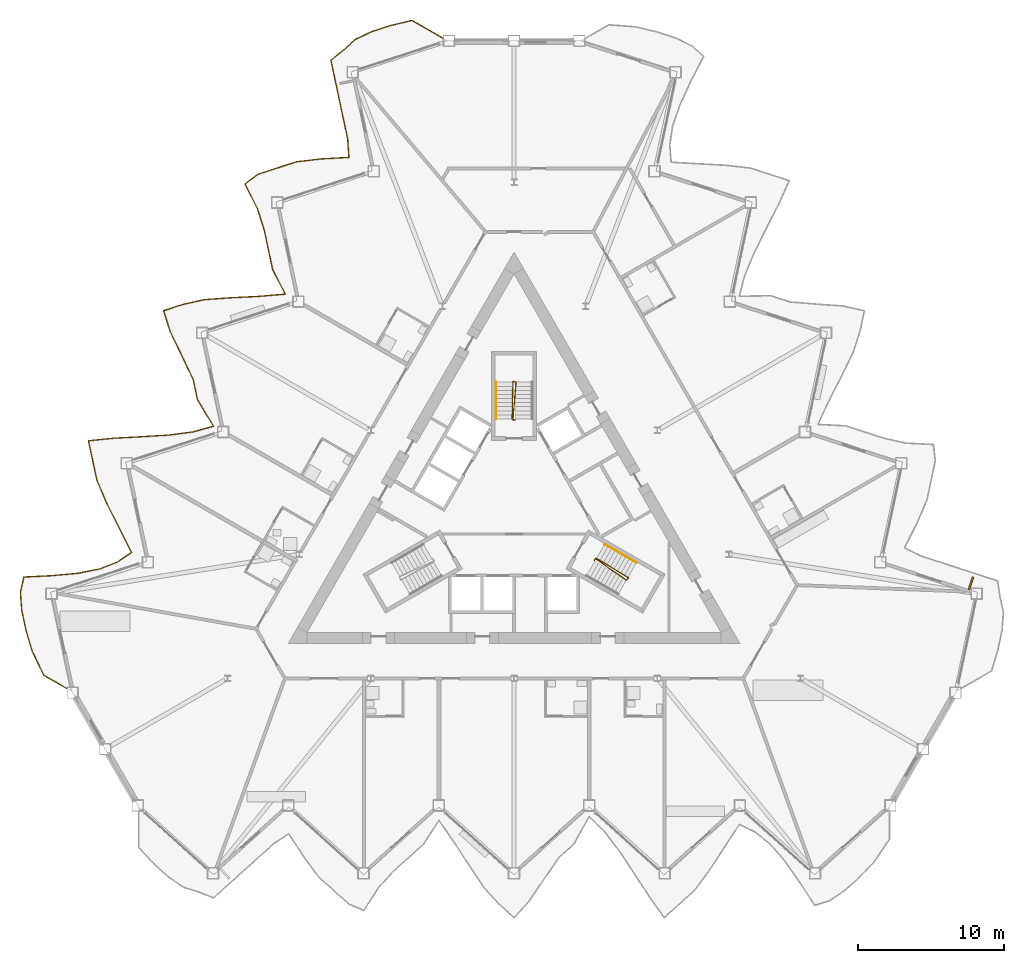
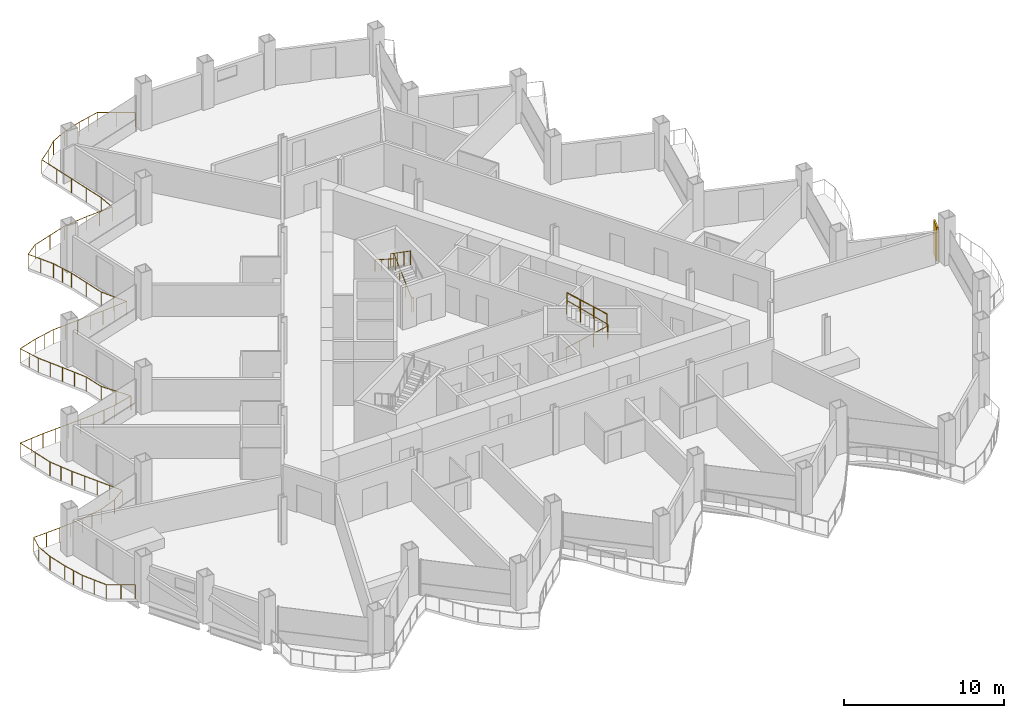
# One storey, part 20 of 23: 5 railings, 1 shading device.
"""IFC4 building model written with IfcOpenShell, lengths in metres."""

import ifcopenshell
import ifcopenshell.guid

model = None  # the IFC model being written
_history = None  # IfcOwnerHistory: only IFC2X3 demands one
_inside = {}  # id of a spatial element -> (the spatial element, [elements in it])
_under = {}  # id of a project, library or spatial element -> (it, [spatial elements below it])
_declared = {}  # id of a project -> (the project, [libraries it declares])
_typed = {}  # id of a type object -> (the type object, [elements of that type])
_made_of = {}  # id of a material, layer set ... -> (it, [elements and type objects made of it])


def new_model(schema):
    """Start an empty IFC model of exactly this schema.

    Asked for "IFC4X3", IfcOpenShell would pick the latest addendum, in which some entities
    have other attributes; the version numbers below select the first issue.
    IFC2X3 requires an IfcOwnerHistory on every rooted entity: one is made here for all.
    """
    global model, _history
    if schema == "IFC4X3":
        model = ifcopenshell.file(schema_version=(4, 3, 0, 0))
    else:
        model = ifcopenshell.file(schema=schema)
    _inside.clear()
    _under.clear()
    _declared.clear()
    _typed.clear()
    _made_of.clear()
    _history = None
    if model.schema == "IFC2X3":
        org = make("IfcOrganization", Name="unknown")
        user = make(
            "IfcPersonAndOrganization",
            ThePerson=make("IfcPerson", FamilyName="unknown"),
            TheOrganization=org,
        )
        app = make(
            "IfcApplication",
            ApplicationDeveloper=org,
            Version="unknown",
            ApplicationFullName="unknown",
            ApplicationIdentifier="unknown",
        )
        _history = make(
            "IfcOwnerHistory",
            OwningUser=user,
            OwningApplication=app,
            ChangeAction="ADDED",
            CreationDate=0,
        )
    return model


def make(cls, **values):
    """One entity of the class cls with the attributes given. An attribute that is None is left unset."""
    return model.create_entity(
        cls, **{name: value for name, value in values.items() if value is not None}
    )


def rooted(cls, **values):
    """An entity with a GlobalId (a new one), such as an element, a storey or a relation."""
    return make(cls, GlobalId=ifcopenshell.guid.new(), OwnerHistory=_history, **values)


def si_unit(unit_type, name, prefix=None):
    """IfcSIUnit, for example si_unit("LENGTHUNIT", "METRE", prefix="MILLI")."""
    return make("IfcSIUnit", UnitType=unit_type, Prefix=prefix, Name=name)


def assignment(units):
    """IfcUnitAssignment: the units of a project."""
    return None if units is None else make("IfcUnitAssignment", Units=units)


def point(xyz):
    """IfcCartesianPoint."""
    return None if xyz is None else make("IfcCartesianPoint", Coordinates=xyz)


def direction(xyz):
    """IfcDirection."""
    return None if xyz is None else make("IfcDirection", DirectionRatios=xyz)


def frame(location, z_axis=None, x_axis=None):
    """IfcAxis2Placement3D, a coordinate frame: its origin and axes. An axis left out is left unset."""
    return make(
        "IfcAxis2Placement3D",
        Location=point(location),
        Axis=direction(z_axis),
        RefDirection=direction(x_axis),
    )


def frame_2d(location, x_axis=None):
    """IfcAxis2Placement2D, a coordinate frame in the plane: its origin and x axis."""
    return make(
        "IfcAxis2Placement2D", Location=point(location), RefDirection=direction(x_axis)
    )


def origin():
    """The frame at (0, 0, 0) with its axes left unset."""
    return frame((0.0, 0.0, 0.0))


def origin_2d():
    """The frame at (0, 0) in the plane with its x axis left unset."""
    return frame_2d((0.0, 0.0))


def place(relative_to, where):
    """IfcLocalPlacement: puts the frame where relative to a parent placement (None: the world)."""
    return make(
        "IfcLocalPlacement", PlacementRelTo=relative_to, RelativePlacement=where
    )


def context(
    kind, dimensions, precision=None, world=None, true_north=None, identifier=None
):
    """IfcGeometricRepresentationContext, for example the 3D "Model" context."""
    return make(
        "IfcGeometricRepresentationContext",
        ContextIdentifier=identifier,
        ContextType=kind,
        CoordinateSpaceDimension=dimensions,
        Precision=precision,
        WorldCoordinateSystem=world,
        TrueNorth=true_north,
    )


def subcontext(parent, identifier, kind, view, scale=None):
    """IfcGeometricRepresentationSubContext, for example "Body" below "Model"."""
    return make(
        "IfcGeometricRepresentationSubContext",
        ContextIdentifier=identifier,
        ContextType=kind,
        ParentContext=parent,
        TargetScale=scale,
        TargetView=view,
    )


def project(units=None, contexts=None):
    """IfcProject with its units and contexts."""
    return rooted(
        "IfcProject",
        Name="project",
        RepresentationContexts=contexts,
        UnitsInContext=assignment(units),
    )


def spatial(cls, under=None, at=None, **own):
    """A site, building, storey or space (cls), placed at a placement, below another one or the project."""
    s = rooted(cls, ObjectPlacement=at, **own)
    if under is not None:
        _under.setdefault(under.id(), (under, []))[1].append(s)
    return s


def profile(cls, at=None, kind="AREA", **sizes):
    """A parametric profile (cls). Its sizes go by their IFC names, for example OverallWidth=200.0."""
    return make(cls, ProfileType=kind, Position=at, **sizes)


def rectangle(**sizes):
    """IfcRectangleProfileDef."""
    return profile("IfcRectangleProfileDef", **sizes)


def circle(**sizes):
    """IfcCircleProfileDef."""
    return profile("IfcCircleProfileDef", **sizes)


def extrude(swept, where, along, depth):
    """IfcExtrudedAreaSolid: the profile swept, set in the frame where, extruded along a direction by depth."""
    return make(
        "IfcExtrudedAreaSolid",
        SweptArea=swept,
        Position=where,
        ExtrudedDirection=direction(along),
        Depth=depth,
    )


def shape(context_of_items, identifier, shape_type, items):
    """IfcShapeRepresentation: the items that make up one representation, for example the "Body"."""
    return make(
        "IfcShapeRepresentation",
        ContextOfItems=context_of_items,
        RepresentationIdentifier=identifier,
        RepresentationType=shape_type,
        Items=items,
    )


def material(Name=None, Category=None):
    """IfcMaterial."""
    return make("IfcMaterial", Name=Name, Category=Category)


def layer(
    of_material, thickness, ventilated=None, Name=None, Category=None, Priority=None
):
    """IfcMaterialLayer: one layer of a wall or slab, of a material (None: an air gap)."""
    return make(
        "IfcMaterialLayer",
        Material=of_material,
        LayerThickness=thickness,
        IsVentilated=ventilated,
        Name=Name,
        Category=Category,
        Priority=Priority,
    )


def layer_set(layers, Name=None):
    """IfcMaterialLayerSet."""
    return make("IfcMaterialLayerSet", MaterialLayers=layers, LayerSetName=Name)


def made_of(thing, what):
    """Note that an element or type object is made of a material, layer set ...; save() writes the relation."""
    if what is not None:
        _made_of.setdefault(what.id(), (what, []))[1].append(thing)
    return thing


def type_object(cls, material=None, **own):
    """A type object (cls), such as IfcWallType, which elements share."""
    return made_of(rooted(cls, **own), material)


def element(
    cls,
    number,
    at=None,
    inside=None,
    cuts=None,
    type_object=None,
    material=None,
    context=None,
    identifier="Body",
    shape_type=None,
    held_by="IfcProductDefinitionShape",
    body=None,
    shapes=None,
    **own,
):
    """One element of the class cls, such as IfcWall. Its Tag is "e" and its number.

    at: its placement. inside: the storey or other place that contains it. cuts: it is an
    opening in that element (IfcRelVoidsElement). A single representation is given by context,
    identifier, shape_type and body (its items); several are given by shapes. held_by: the class
    of the entity that holds the representations. save() writes the other relations.
    """
    e = rooted(cls, Tag="e%d" % number, ObjectPlacement=at, **own)
    if body is not None:
        shapes = [shape(context, identifier, shape_type, body)]
    if shapes is not None:
        e.Representation = make(held_by, Representations=shapes)
    if inside is not None:
        _inside.setdefault(inside.id(), (inside, []))[1].append(e)
    if cuts is not None:
        rooted(
            "IfcRelVoidsElement", RelatingBuildingElement=cuts, RelatedOpeningElement=e
        )
    if type_object is not None:
        _typed.setdefault(type_object.id(), (type_object, []))[1].append(e)
    return made_of(e, material)


def aggregate(whole, parts):
    """IfcRelAggregates: a whole, such as a stair, and the parts it consists of."""
    return rooted("IfcRelAggregates", RelatingObject=whole, RelatedObjects=parts)


def save(model, path):
    """Write the relations noted so far, then the file.

    IfcRelAggregates (storeys below a building ...), IfcRelContainedInSpatialStructure (elements
    in a storey), IfcRelDefinesByType, IfcRelAssociatesMaterial and IfcRelDeclares: one each for
    every whole, place, type object, material and project.
    """
    for whole, parts in _under.values():
        aggregate(whole, parts)
    for where, things in _inside.values():
        rooted(
            "IfcRelContainedInSpatialStructure",
            RelatedElements=things,
            RelatingStructure=where,
        )
    for kind, things in _typed.values():
        rooted("IfcRelDefinesByType", RelatedObjects=things, RelatingType=kind)
    for what, things in _made_of.values():
        rooted("IfcRelAssociatesMaterial", RelatedObjects=things, RelatingMaterial=what)
    for by, libraries in _declared.values():
        rooted("IfcRelDeclares", RelatingContext=by, RelatedDefinitions=libraries)
    model.write(path)


model = new_model("IFC4")

# Units and contexts
model_context = context("Model", 3, precision=1e-05, world=origin(), true_north=direction((0.0, 1.0)))
body_context = subcontext(model_context, "Body", "Model", "MODEL_VIEW")
ifc_project = project(units=[si_unit("LENGTHUNIT", "METRE"), si_unit("AREAUNIT", "SQUARE_METRE"), si_unit("VOLUMEUNIT", "CUBIC_METRE"), si_unit("PLANEANGLEUNIT", "RADIAN"), si_unit("MASSUNIT", "GRAM", prefix="KILO")], contexts=[model_context])

# Site, building, storey
site_placement = place(None, origin())
site = spatial("IfcSite", under=ifc_project, at=site_placement, CompositionType="ELEMENT")
building_placement = place(site_placement, origin())
building = spatial("IfcBuilding", under=site, at=building_placement, Name="Cormorant Prow Tower", CompositionType="ELEMENT")
storey_placement = place(building_placement, frame((0.0, 0.0, 212.39990234375)))
storey = spatial("IfcBuildingStorey", under=building, at=storey_placement, Name="L47", CompositionType="ELEMENT", Elevation=212.39990234375)

# Railings
ifc_material_1 = material(Name="Aluminium 6063-T6", Category="aluminium")
railing_type_1 = type_object("IfcRailingType", Name="Balcony guard 1100", PredefinedType="GUARDRAIL", material=ifc_material_1)
railing_1_placement = place(storey_placement, frame((-4.920654296875, 32.60693359375, 0.0)))
element("IfcRailing", 1, at=railing_1_placement, inside=storey, type_object=railing_type_1, Name="Balcony guard WNW", PredefinedType="GUARDRAIL", context=body_context, shape_type="SweptSolid", body=[
    extrude(circle(Radius=0.02392578125, at=origin_2d()), frame((0.0, 0.0, 1.076171875), z_axis=(-0.866028295127, 0.499994992015, 0.0), x_axis=(-0.499994992015, -0.866028295127, 0.0)), (0.0, 0.0, 1.0), 2.40380859375),
    extrude(circle(Radius=0.02392578125, at=origin_2d()), frame((-2.081787109375, 1.201904296875, 1.076171875), z_axis=(-0.973212361163, -0.22990802526, 0.0), x_axis=(0.22990802526, -0.973212361163, 0.0)), (0.0, 0.0, 1.0), 1.503662109375),
    extrude(circle(Radius=0.02392578125, at=origin_2d()), frame((-3.545166015625, 0.856201171875, 1.076171875), z_axis=(-0.951066390921, -0.30898660175, 0.0), x_axis=(0.30898660175, -0.951066390921, 0.0)), (0.0, 0.0, 1.0), 1.387451171875),
    extrude(circle(Radius=0.02392578125, at=origin_2d()), frame((-4.86474609375, 0.427490234375, 1.076171875), z_axis=(-0.901278850403, -0.433239464749, 0.0), x_axis=(0.433239464749, -0.901278850403, 0.0)), (0.0, 0.0, 1.0), 1.248779296875),
    extrude(circle(Radius=0.02392578125, at=origin_2d()), frame((-5.990234375, -0.113525390625, 1.076171875), z_axis=(-0.735764349917, -0.677237640265, 0.0), x_axis=(0.677237640265, -0.735764349917, 0.0)), (0.0, 0.0, 1.0), 1.080322265625),
    extrude(circle(Radius=0.02392578125, at=origin_2d()), frame((-6.78515625, -0.84521484375, 1.076171875), z_axis=(-0.78395206993, -0.620821352767, 0.0), x_axis=(0.620821352767, -0.78395206993, 0.0)), (0.0, 0.0, 1.0), 1.10888671875),
    extrude(circle(Radius=0.02392578125, at=origin_2d()), frame((-7.654541015625, -1.53369140625, 1.076171875), z_axis=(0.20797870558, -0.978133353907, 0.0), x_axis=(0.978133353907, 0.20797870558, 0.0)), (0.0, 0.0, 1.0), 1.387451171875),
    extrude(circle(Radius=0.02392578125, at=origin_2d()), frame((-7.365966796875, -2.890869140625, 1.076171875), z_axis=(0.207810352384, -0.978169135396, 0.0), x_axis=(0.978169135396, 0.207810352384, 0.0)), (0.0, 0.0, 1.0), 1.387451171875),
    extrude(circle(Radius=0.02392578125, at=origin_2d()), frame((-7.07763671875, -4.248046875, 1.076171875), z_axis=(0.20797870558, -0.978133353907, 0.0), x_axis=(0.978133353907, 0.20797870558, 0.0)), (0.0, 0.0, 1.0), 1.387451171875),
    extrude(circle(Radius=0.02392578125, at=origin_2d()), frame((-6.7890625, -5.605224609375, 1.076171875), z_axis=(0.207774590091, -0.978176732351, 0.0), x_axis=(0.978176732351, 0.207774590091, 0.0)), (0.0, 0.0, 1.0), 1.3876953125),
    extrude(circle(Radius=0.02392578125, at=origin_2d()), frame((-6.500732421875, -6.962646484375, 1.076171875), z_axis=(0.065931182992, -0.997824172442, 0.0), x_axis=(0.997824172442, 0.065931182992, 0.0)), (0.0, 0.0, 1.0), 1.240478515625),
    extrude(circle(Radius=0.02392578125, at=origin_2d()), frame((-6.4189453125, -8.200439453125, 1.076171875), z_axis=(-0.998583367735, -0.053209563827, 0.0), x_axis=(0.053209563827, -0.998583367735, 0.0)), (0.0, 0.0, 1.0), 1.890380859375),
    extrude(circle(Radius=0.02392578125, at=origin_2d()), frame((-8.306640625, -8.301025390625, 1.076171875), z_axis=(-0.99316508234, -0.116718118651, 0.0), x_axis=(0.116718118651, -0.99316508234, 0.0)), (0.0, 0.0, 1.0), 1.7255859375),
    extrude(circle(Radius=0.02392578125, at=origin_2d()), frame((-10.0205078125, -8.50244140625, 1.076171875), z_axis=(-0.951066390921, -0.30898660175, 0.0), x_axis=(0.30898660175, -0.951066390921, 0.0)), (0.0, 0.0, 1.0), 1.387451171875),
    extrude(circle(Radius=0.02392578125, at=origin_2d()), frame((-11.340087890625, -8.93115234375, 1.076171875), z_axis=(-0.951066390921, -0.30898660175, 0.0), x_axis=(0.30898660175, -0.951066390921, 0.0)), (0.0, 0.0, 1.0), 1.387451171875),
    extrude(circle(Radius=0.02392578125, at=origin_2d()), frame((-12.65966796875, -9.35986328125, 1.076171875), z_axis=(-0.799947741262, -0.600069671997, 0.0), x_axis=(0.600069671997, -0.799947741262, 0.0)), (0.0, 0.0, 1.0), 1.121337890625),
    extrude(circle(Radius=0.02392578125, at=origin_2d()), frame((-13.556640625, -10.03271484375, 1.076171875), z_axis=(0.454161365622, -0.890919443034, 0.0), x_axis=(0.890919443034, 0.454161365622, 0.0)), (0.0, 0.0, 1.0), 1.893798828125),
    extrude(circle(Radius=0.02392578125, at=origin_2d()), frame((-12.696533203125, -11.719970703125, 1.076171875), z_axis=(0.302887469751, -0.953026327374, 0.0), x_axis=(0.953026327374, 0.302887469751, 0.0)), (0.0, 0.0, 1.0), 1.52978515625),
    extrude(circle(Radius=0.02392578125, at=origin_2d()), frame((-12.233154296875, -13.177978515625, 1.076171875), z_axis=(0.207810352384, -0.978169135396, 0.0), x_axis=(0.978169135396, 0.207810352384, 0.0)), (0.0, 0.0, 1.0), 1.387451171875),
    extrude(circle(Radius=0.02392578125, at=origin_2d()), frame((-11.94482421875, -14.53515625, 1.076171875), z_axis=(0.20797870558, -0.978133353907, 0.0), x_axis=(0.978133353907, 0.20797870558, 0.0)), (0.0, 0.0, 1.0), 1.387451171875),
    extrude(circle(Radius=0.02392578125, at=origin_2d()), frame((-11.65625, -15.892333984375, 1.076171875), z_axis=(0.455679598883, -0.890143866553, 0.0), x_axis=(0.890143866553, 0.455679598883, 0.0)), (0.0, 0.0, 1.0), 1.898681640625),
    extrude(circle(Radius=0.02392578125, at=origin_2d()), frame((-10.791015625, -17.58251953125, 1.076171875), z_axis=(-0.996378508265, -0.085028632041, 0.0), x_axis=(0.085028632041, -0.996378508265, 0.0)), (0.0, 0.0, 1.0), 1.80322265625),
    extrude(circle(Radius=0.02392578125, at=origin_2d()), frame((-12.587646484375, -17.73583984375, 1.076171875), z_axis=(-0.998798607973, -0.049003476528, 0.0), x_axis=(0.049003476528, -0.998798607973, 0.0)), (0.0, 0.0, 1.0), 1.903076171875),
    extrude(circle(Radius=0.02392578125, at=origin_2d()), frame((-14.488525390625, -17.8291015625, 1.076171875), z_axis=(-0.997499591032, -0.070672242725, 0.0), x_axis=(0.070672242725, -0.997499591032, 0.0)), (0.0, 0.0, 1.0), 1.84130859375),
    extrude(circle(Radius=0.02392578125, at=origin_2d()), frame((-16.3251953125, -17.959228515625, 1.076171875), z_axis=(-0.976303584694, -0.21640543088, 0.0), x_axis=(0.21640543088, -0.976303584694, 0.0)), (0.0, 0.0, 1.0), 1.5263671875),
    extrude(circle(Radius=0.02392578125, at=origin_2d()), frame((-17.8154296875, -18.28955078125, 1.076171875), z_axis=(-0.951014671478, -0.309145749822, 0.0), x_axis=(0.309145749822, -0.951014671478, 0.0)), (0.0, 0.0, 1.0), 1.387451171875),
    extrude(circle(Radius=0.02392578125, at=origin_2d()), frame((-19.135009765625, -18.718505859375, 1.076171875), z_axis=(0.298959471518, -0.954265809086, 0.0), x_axis=(0.954265809086, 0.298959471518, 0.0)), (0.0, 0.0, 1.0), 1.52294921875),
    extrude(circle(Radius=0.02392578125, at=origin_2d()), frame((-18.6796875, -20.171875, 1.076171875), z_axis=(0.437155444794, -0.899385966694, 0.0), x_axis=(0.899385966694, 0.437155444794, 0.0)), (0.0, 0.0, 1.0), 1.840087890625),
    extrude(circle(Radius=0.02392578125, at=origin_2d()), frame((-17.875244140625, -21.826904296875, 1.076171875), z_axis=(0.427599829351, -0.903968133254, 0.0), x_axis=(0.903968133254, 0.427599829351, 0.0)), (0.0, 0.0, 1.0), 1.812255859375),
    extrude(circle(Radius=0.02392578125, at=origin_2d()), frame((-17.100341796875, -23.465087890625, 1.076171875), z_axis=(0.207810352384, -0.978169135396, 0.0), x_axis=(0.978169135396, 0.207810352384, 0.0)), (0.0, 0.0, 1.0), 1.387451171875),
    extrude(circle(Radius=0.02392578125, at=origin_2d()), frame((-16.81201171875, -24.822265625, 1.076171875), z_axis=(0.515994404048, -0.856591953611, 0.0), x_axis=(0.856591953611, 0.515994404048, 0.0)), (0.0, 0.0, 1.0), 2.131103515625),
    extrude(circle(Radius=0.02392578125, at=origin_2d()), frame((-15.71240234375, -26.647705078125, 1.076171875), z_axis=(-0.963525170762, -0.267617722337, 0.0), x_axis=(0.267617722337, -0.963525170762, 0.0)), (0.0, 0.0, 1.0), 1.445068359375),
    extrude(circle(Radius=0.02392578125, at=origin_2d()), frame((-17.104736328125, -27.034423828125, 1.076171875), z_axis=(-0.99157148813, -0.129560734512, 0.0), x_axis=(0.129560734512, -0.99157148813, 0.0)), (0.0, 0.0, 1.0), 1.696044921875),
    extrude(circle(Radius=0.02392578125, at=origin_2d()), frame((-18.786376953125, -27.254150390625, 1.076171875), z_axis=(-0.998153888564, -0.060735613476, 0.0), x_axis=(0.060735613476, -0.998153888564, 0.0)), (0.0, 0.0, 1.0), 1.869140625),
    extrude(circle(Radius=0.02392578125, at=origin_2d()), frame((-20.652099609375, -27.36767578125, 1.076171875), z_axis=(-0.998650388132, -0.05193652167, 0.0), x_axis=(0.05193652167, -0.998650388132, 0.0)), (0.0, 0.0, 1.0), 1.894287109375),
    extrude(circle(Radius=0.02392578125, at=origin_2d()), frame((-22.5439453125, -27.466064453125, 1.076171875), z_axis=(-0.994607061007, -0.103714966104, 0.0), x_axis=(0.103714966104, -0.994607061007, 0.0)), (0.0, 0.0, 1.0), 1.756103515625),
    extrude(circle(Radius=0.02392578125, at=origin_2d()), frame((-24.29052734375, -27.648193359375, 1.076171875), z_axis=(0.207810352384, -0.978169135396, 0.0), x_axis=(0.978169135396, 0.207810352384, 0.0)), (0.0, 0.0, 1.0), 1.387451171875),
    extrude(circle(Radius=0.02392578125, at=origin_2d()), frame((-24.002197265625, -29.00537109375, 1.076171875), z_axis=(0.20797870558, -0.978133353907, 0.0), x_axis=(0.978133353907, 0.20797870558, 0.0)), (0.0, 0.0, 1.0), 1.387451171875),
    extrude(circle(Radius=0.02392578125, at=origin_2d()), frame((-23.713623046875, -30.362548828125, 1.076171875), z_axis=(0.394090441946, -0.919071663999, 0.0), x_axis=(0.919071663999, 0.394090441946, 0.0)), (0.0, 0.0, 1.0), 1.7216796875),
    extrude(circle(Radius=0.02392578125, at=origin_2d()), frame((-23.03515625, -31.94482421875, 1.076171875), z_axis=(0.452888275113, -0.891567277476, 0.0), x_axis=(0.891567277476, 0.452888275113, 0.0)), (0.0, 0.0, 1.0), 1.889892578125),
    extrude(circle(Radius=0.02392578125, at=origin_2d()), frame((-22.17919921875, -33.6298828125, 1.076171875), z_axis=(0.448774320801, -0.89364512475, 0.0), x_axis=(0.89364512475, 0.448774320801, 0.0)), (0.0, 0.0, 1.0), 1.876220703125),
    extrude(circle(Radius=0.02392578125, at=origin_2d()), frame((-21.337158203125, -35.306640625, 1.076171875), z_axis=(-0.82356752701, -0.567218237061, 0.0), x_axis=(0.567218237061, -0.82356752701, 0.0)), (0.0, 0.0, 1.0), 1.141845703125),
    extrude(circle(Radius=0.02392578125, at=origin_2d()), frame((-22.277587890625, -35.954345703125, 1.076171875), z_axis=(-0.930003475376, -0.367550725463, 0.0), x_axis=(0.367550725463, -0.930003475376, 0.0)), (0.0, 0.0, 1.0), 1.31640625),
    extrude(circle(Radius=0.02392578125, at=origin_2d()), frame((-23.501953125, -36.438232421875, 1.076171875), z_axis=(-0.981004194087, -0.193986523199, 0.0), x_axis=(0.193986523199, -0.981004194087, 0.0)), (0.0, 0.0, 1.0), 1.565673828125),
    extrude(circle(Radius=0.02392578125, at=origin_2d()), frame((-25.037841796875, -36.741943359375, 1.076171875), z_axis=(-0.996011807592, -0.089221517228, 0.0), x_axis=(0.089221517228, -0.996011807592, 0.0)), (0.0, 0.0, 1.0), 1.792236328125),
    extrude(circle(Radius=0.02392578125, at=origin_2d()), frame((-26.822998046875, -36.90185546875, 1.076171875), z_axis=(-0.998771473491, -0.049553443286, 0.0), x_axis=(0.049553443286, -0.998771473491, 0.0)), (0.0, 0.0, 1.0), 1.90185546875),
    extrude(circle(Radius=0.02392578125, at=origin_2d()), frame((-28.722412109375, -36.99609375, 1.076171875), z_axis=(-0.219754277814, -0.975555255935, 0.0), x_axis=(0.975555255935, -0.219754277814, 0.0)), (0.0, 0.0, 1.0), 1.079833984375),
    extrude(circle(Radius=0.02392578125, at=origin_2d()), frame((-28.959716796875, -38.049560546875, 1.076171875), z_axis=(0.072680965333, -0.997355241265, 0.0), x_axis=(0.997355241265, 0.072680965333, 0.0)), (0.0, 0.0, 1.0), 1.246337890625),
    extrude(circle(Radius=0.02392578125, at=origin_2d()), frame((-28.869140625, -39.29248046875, 1.076171875), z_axis=(0.207810352384, -0.978169135396, 0.0), x_axis=(0.978169135396, 0.207810352384, 0.0)), (0.0, 0.0, 1.0), 1.387451171875),
    extrude(circle(Radius=0.02392578125, at=origin_2d()), frame((-28.580810546875, -40.649658203125, 1.076171875), z_axis=(0.285810363101, -0.958286197513, 0.0), x_axis=(0.958286197513, 0.285810363101, 0.0)), (0.0, 0.0, 1.0), 1.500732421875),
    extrude(circle(Radius=0.02392578125, at=origin_2d()), frame((-28.15185546875, -42.087890625, 1.076171875), z_axis=(0.434044135852, -0.900891607316, 0.0), x_axis=(0.900891607316, 0.434044135852, 0.0)), (0.0, 0.0, 1.0), 1.830810546875),
    extrude(circle(Radius=0.02392578125, at=origin_2d()), frame((-27.357177734375, -43.7373046875, 1.076171875), z_axis=(0.866042886279, -0.499969718208, 0.0), x_axis=(0.499969718208, 0.866042886279, 0.0)), (0.0, 0.0, 1.0), 1.8232421875),
    extrude(circle(Radius=0.02099609375, at=origin_2d()), origin(), (0.0, 0.0, 1.0), 1.052001953125),
    extrude(circle(Radius=0.02099609375, at=origin_2d()), frame((-1.041015625, 0.60107421875, 0.0)), (0.0, 0.0, 1.0), 1.052001953125),
    extrude(circle(Radius=0.02099609375, at=origin_2d()), frame((-2.081787109375, 1.201904296875, 0.0)), (0.0, 0.0, 1.0), 1.052001953125),
    extrude(circle(Radius=0.02099609375, at=origin_2d()), frame((-2.8134765625, 1.029052734375, 0.0)), (0.0, 0.0, 1.0), 1.052001953125),
    extrude(circle(Radius=0.02099609375, at=origin_2d()), frame((-3.545166015625, 0.856201171875, 0.0)), (0.0, 0.0, 1.0), 1.052001953125),
    extrude(circle(Radius=0.02099609375, at=origin_2d()), frame((-4.86474609375, 0.427490234375, 0.0)), (0.0, 0.0, 1.0), 1.052001953125),
    extrude(circle(Radius=0.02099609375, at=origin_2d()), frame((-5.990234375, -0.113525390625, 0.0)), (0.0, 0.0, 1.0), 1.052001953125),
    extrude(circle(Radius=0.02099609375, at=origin_2d()), frame((-6.78515625, -0.84521484375, 0.0)), (0.0, 0.0, 1.0), 1.052001953125),
    extrude(circle(Radius=0.02099609375, at=origin_2d()), frame((-7.654541015625, -1.53369140625, 0.0)), (0.0, 0.0, 1.0), 1.052001953125),
    extrude(circle(Radius=0.02099609375, at=origin_2d()), frame((-7.365966796875, -2.890869140625, 0.0)), (0.0, 0.0, 1.0), 1.052001953125),
    extrude(circle(Radius=0.02099609375, at=origin_2d()), frame((-7.07763671875, -4.248046875, 0.0)), (0.0, 0.0, 1.0), 1.052001953125),
    extrude(circle(Radius=0.02099609375, at=origin_2d()), frame((-6.7890625, -5.605224609375, 0.0)), (0.0, 0.0, 1.0), 1.052001953125),
    extrude(circle(Radius=0.02099609375, at=origin_2d()), frame((-6.500732421875, -6.962646484375, 0.0)), (0.0, 0.0, 1.0), 1.052001953125),
    extrude(circle(Radius=0.02099609375, at=origin_2d()), frame((-6.4189453125, -8.200439453125, 0.0)), (0.0, 0.0, 1.0), 1.052001953125),
    extrude(circle(Radius=0.02099609375, at=origin_2d()), frame((-7.36279296875, -8.250732421875, 0.0)), (0.0, 0.0, 1.0), 1.052001953125),
    extrude(circle(Radius=0.02099609375, at=origin_2d()), frame((-8.306640625, -8.301025390625, 0.0)), (0.0, 0.0, 1.0), 1.052001953125),
    extrude(circle(Radius=0.02099609375, at=origin_2d()), frame((-9.16357421875, -8.40185546875, 0.0)), (0.0, 0.0, 1.0), 1.052001953125),
    extrude(circle(Radius=0.02099609375, at=origin_2d()), frame((-10.0205078125, -8.50244140625, 0.0)), (0.0, 0.0, 1.0), 1.052001953125),
    extrude(circle(Radius=0.02099609375, at=origin_2d()), frame((-11.340087890625, -8.93115234375, 0.0)), (0.0, 0.0, 1.0), 1.052001953125),
    extrude(circle(Radius=0.02099609375, at=origin_2d()), frame((-12.65966796875, -9.35986328125, 0.0)), (0.0, 0.0, 1.0), 1.052001953125),
    extrude(circle(Radius=0.02099609375, at=origin_2d()), frame((-13.556640625, -10.03271484375, 0.0)), (0.0, 0.0, 1.0), 1.052001953125),
    extrude(circle(Radius=0.02099609375, at=origin_2d()), frame((-13.12646484375, -10.87646484375, 0.0)), (0.0, 0.0, 1.0), 1.052001953125),
    extrude(circle(Radius=0.02099609375, at=origin_2d()), frame((-12.696533203125, -11.719970703125, 0.0)), (0.0, 0.0, 1.0), 1.052001953125),
    extrude(circle(Radius=0.02099609375, at=origin_2d()), frame((-12.46484375, -12.448974609375, 0.0)), (0.0, 0.0, 1.0), 1.052001953125),
    extrude(circle(Radius=0.02099609375, at=origin_2d()), frame((-12.233154296875, -13.177978515625, 0.0)), (0.0, 0.0, 1.0), 1.052001953125),
    extrude(circle(Radius=0.02099609375, at=origin_2d()), frame((-11.94482421875, -14.53515625, 0.0)), (0.0, 0.0, 1.0), 1.052001953125),
    extrude(circle(Radius=0.02099609375, at=origin_2d()), frame((-11.65625, -15.892333984375, 0.0)), (0.0, 0.0, 1.0), 1.052001953125),
    extrude(circle(Radius=0.02099609375, at=origin_2d()), frame((-11.2236328125, -16.7373046875, 0.0)), (0.0, 0.0, 1.0), 1.052001953125),
    extrude(circle(Radius=0.02099609375, at=origin_2d()), frame((-10.791015625, -17.58251953125, 0.0)), (0.0, 0.0, 1.0), 1.052001953125),
    extrude(circle(Radius=0.02099609375, at=origin_2d()), frame((-11.689453125, -17.6591796875, 0.0)), (0.0, 0.0, 1.0), 1.052001953125),
    extrude(circle(Radius=0.02099609375, at=origin_2d()), frame((-12.587646484375, -17.73583984375, 0.0)), (0.0, 0.0, 1.0), 1.052001953125),
    extrude(circle(Radius=0.02099609375, at=origin_2d()), frame((-13.5380859375, -17.782470703125, 0.0)), (0.0, 0.0, 1.0), 1.052001953125),
    extrude(circle(Radius=0.02099609375, at=origin_2d()), frame((-14.488525390625, -17.8291015625, 0.0)), (0.0, 0.0, 1.0), 1.052001953125),
    extrude(circle(Radius=0.02099609375, at=origin_2d()), frame((-15.40673828125, -17.89404296875, 0.0)), (0.0, 0.0, 1.0), 1.052001953125),
    extrude(circle(Radius=0.02099609375, at=origin_2d()), frame((-16.3251953125, -17.959228515625, 0.0)), (0.0, 0.0, 1.0), 1.052001953125),
    extrude(circle(Radius=0.02099609375, at=origin_2d()), frame((-17.0703125, -18.12451171875, 0.0)), (0.0, 0.0, 1.0), 1.052001953125),
    extrude(circle(Radius=0.02099609375, at=origin_2d()), frame((-17.8154296875, -18.28955078125, 0.0)), (0.0, 0.0, 1.0), 1.052001953125),
    extrude(circle(Radius=0.02099609375, at=origin_2d()), frame((-19.135009765625, -18.718505859375, 0.0)), (0.0, 0.0, 1.0), 1.052001953125),
    extrude(circle(Radius=0.02099609375, at=origin_2d()), frame((-18.9072265625, -19.4453125, 0.0)), (0.0, 0.0, 1.0), 1.052001953125),
    extrude(circle(Radius=0.02099609375, at=origin_2d()), frame((-18.6796875, -20.171875, 0.0)), (0.0, 0.0, 1.0), 1.052001953125),
    extrude(circle(Radius=0.02099609375, at=origin_2d()), frame((-18.27734375, -20.99951171875, 0.0)), (0.0, 0.0, 1.0), 1.052001953125),
    extrude(circle(Radius=0.02099609375, at=origin_2d()), frame((-17.875244140625, -21.826904296875, 0.0)), (0.0, 0.0, 1.0), 1.052001953125),
    extrude(circle(Radius=0.02099609375, at=origin_2d()), frame((-17.48779296875, -22.64599609375, 0.0)), (0.0, 0.0, 1.0), 1.052001953125),
    extrude(circle(Radius=0.02099609375, at=origin_2d()), frame((-17.100341796875, -23.465087890625, 0.0)), (0.0, 0.0, 1.0), 1.052001953125),
    extrude(circle(Radius=0.02099609375, at=origin_2d()), frame((-16.81201171875, -24.822265625, 0.0)), (0.0, 0.0, 1.0), 1.052001953125),
    extrude(circle(Radius=0.02099609375, at=origin_2d()), frame((-16.26220703125, -25.73486328125, 0.0)), (0.0, 0.0, 1.0), 1.052001953125),
    extrude(circle(Radius=0.02099609375, at=origin_2d()), frame((-15.71240234375, -26.647705078125, 0.0)), (0.0, 0.0, 1.0), 1.052001953125),
    extrude(circle(Radius=0.02099609375, at=origin_2d()), frame((-17.104736328125, -27.034423828125, 0.0)), (0.0, 0.0, 1.0), 1.052001953125),
    extrude(circle(Radius=0.02099609375, at=origin_2d()), frame((-17.945556640625, -27.144287109375, 0.0)), (0.0, 0.0, 1.0), 1.052001953125),
    extrude(circle(Radius=0.02099609375, at=origin_2d()), frame((-18.786376953125, -27.254150390625, 0.0)), (0.0, 0.0, 1.0), 1.052001953125),
    extrude(circle(Radius=0.02099609375, at=origin_2d()), frame((-19.71923828125, -27.31103515625, 0.0)), (0.0, 0.0, 1.0), 1.052001953125),
    extrude(circle(Radius=0.02099609375, at=origin_2d()), frame((-20.652099609375, -27.36767578125, 0.0)), (0.0, 0.0, 1.0), 1.052001953125),
    extrude(circle(Radius=0.02099609375, at=origin_2d()), frame((-21.59814453125, -27.4169921875, 0.0)), (0.0, 0.0, 1.0), 1.052001953125),
    extrude(circle(Radius=0.02099609375, at=origin_2d()), frame((-22.5439453125, -27.466064453125, 0.0)), (0.0, 0.0, 1.0), 1.052001953125),
    extrude(circle(Radius=0.02099609375, at=origin_2d()), frame((-23.417236328125, -27.55712890625, 0.0)), (0.0, 0.0, 1.0), 1.052001953125),
    extrude(circle(Radius=0.02099609375, at=origin_2d()), frame((-24.29052734375, -27.648193359375, 0.0)), (0.0, 0.0, 1.0), 1.052001953125),
    extrude(circle(Radius=0.02099609375, at=origin_2d()), frame((-24.002197265625, -29.00537109375, 0.0)), (0.0, 0.0, 1.0), 1.052001953125),
    extrude(circle(Radius=0.02099609375, at=origin_2d()), frame((-23.713623046875, -30.362548828125, 0.0)), (0.0, 0.0, 1.0), 1.052001953125),
    extrude(circle(Radius=0.02099609375, at=origin_2d()), frame((-23.37451171875, -31.15380859375, 0.0)), (0.0, 0.0, 1.0), 1.052001953125),
    extrude(circle(Radius=0.02099609375, at=origin_2d()), frame((-23.03515625, -31.94482421875, 0.0)), (0.0, 0.0, 1.0), 1.052001953125),
    extrude(circle(Radius=0.02099609375, at=origin_2d()), frame((-22.607177734375, -32.787353515625, 0.0)), (0.0, 0.0, 1.0), 1.052001953125),
    extrude(circle(Radius=0.02099609375, at=origin_2d()), frame((-22.17919921875, -33.6298828125, 0.0)), (0.0, 0.0, 1.0), 1.052001953125),
    extrude(circle(Radius=0.02099609375, at=origin_2d()), frame((-21.75830078125, -34.46826171875, 0.0)), (0.0, 0.0, 1.0), 1.052001953125),
    extrude(circle(Radius=0.02099609375, at=origin_2d()), frame((-21.337158203125, -35.306640625, 0.0)), (0.0, 0.0, 1.0), 1.052001953125),
    extrude(circle(Radius=0.02099609375, at=origin_2d()), frame((-22.277587890625, -35.954345703125, 0.0)), (0.0, 0.0, 1.0), 1.052001953125),
    extrude(circle(Radius=0.02099609375, at=origin_2d()), frame((-23.501953125, -36.438232421875, 0.0)), (0.0, 0.0, 1.0), 1.052001953125),
    extrude(circle(Radius=0.02099609375, at=origin_2d()), frame((-24.27001953125, -36.590087890625, 0.0)), (0.0, 0.0, 1.0), 1.052001953125),
    extrude(circle(Radius=0.02099609375, at=origin_2d()), frame((-25.037841796875, -36.741943359375, 0.0)), (0.0, 0.0, 1.0), 1.052001953125),
    extrude(circle(Radius=0.02099609375, at=origin_2d()), frame((-25.930419921875, -36.82177734375, 0.0)), (0.0, 0.0, 1.0), 1.052001953125),
    extrude(circle(Radius=0.02099609375, at=origin_2d()), frame((-26.822998046875, -36.90185546875, 0.0)), (0.0, 0.0, 1.0), 1.052001953125),
    extrude(circle(Radius=0.02099609375, at=origin_2d()), frame((-27.772705078125, -36.948974609375, 0.0)), (0.0, 0.0, 1.0), 1.052001953125),
    extrude(circle(Radius=0.02099609375, at=origin_2d()), frame((-28.722412109375, -36.99609375, 0.0)), (0.0, 0.0, 1.0), 1.052001953125),
    extrude(circle(Radius=0.02099609375, at=origin_2d()), frame((-28.959716796875, -38.049560546875, 0.0)), (0.0, 0.0, 1.0), 1.052001953125),
    extrude(circle(Radius=0.02099609375, at=origin_2d()), frame((-28.869140625, -39.29248046875, 0.0)), (0.0, 0.0, 1.0), 1.052001953125),
    extrude(circle(Radius=0.02099609375, at=origin_2d()), frame((-28.580810546875, -40.649658203125, 0.0)), (0.0, 0.0, 1.0), 1.052001953125),
    extrude(circle(Radius=0.02099609375, at=origin_2d()), frame((-28.3662109375, -41.36865234375, 0.0)), (0.0, 0.0, 1.0), 1.052001953125),
    extrude(circle(Radius=0.02099609375, at=origin_2d()), frame((-28.15185546875, -42.087890625, 0.0)), (0.0, 0.0, 1.0), 1.052001953125),
    extrude(circle(Radius=0.02099609375, at=origin_2d()), frame((-27.75439453125, -42.91259765625, 0.0)), (0.0, 0.0, 1.0), 1.052001953125),
    extrude(circle(Radius=0.02099609375, at=origin_2d()), frame((-27.357177734375, -43.7373046875, 0.0)), (0.0, 0.0, 1.0), 1.052001953125),
    extrude(circle(Radius=0.02099609375, at=origin_2d()), frame((-26.567626953125, -44.193115234375, 0.0)), (0.0, 0.0, 1.0), 1.052001953125),
    extrude(circle(Radius=0.02099609375, at=origin_2d()), frame((-25.778076171875, -44.64892578125, 0.0)), (0.0, 0.0, 1.0), 1.052001953125),
])
ifc_material_2 = material(Name="Stainless steel", Category="steel")
railing_type_2 = type_object("IfcRailingType", Name="Stair guard 1100", PredefinedType="GUARDRAIL", material=ifc_material_2)
railing_2_placement = place(storey_placement, frame((5.510009765625, -3.267822265625, 0.0)))
element("IfcRailing", 2, at=railing_2_placement, inside=storey, type_object=railing_type_2, Name="L47 ST2 stair guard 1", PredefinedType="GUARDRAIL", context=body_context, shape_type="SweptSolid", body=[
    extrude(circle(Radius=0.02392578125, at=origin_2d()), frame((0.0, 0.0, 1.076171875), z_axis=(0.501036270542, 0.865426285481, 0.0), x_axis=(-0.865426285481, 0.501036270542, 0.0)), (0.0, 0.0, 1.0), 0.150146484375),
    extrude(circle(Radius=0.02392578125, at=origin_2d()), frame((0.0751953125, 0.1298828125, 1.076171875), z_axis=(0.676058237057, -0.463829066155, 0.572545070276), x_axis=(0.565732651216, 0.824588726183, 0.0)), (0.0, 0.0, 1.0), 3.14404296875),
    extrude(circle(Radius=0.02392578125, at=origin_2d()), frame((2.20068359375, -1.328369140625, 2.8759765625), z_axis=(0.695164929852, 0.718850276695, 0.0), x_axis=(-0.718850276695, 0.695164929852, 0.0)), (0.0, 0.0, 1.0), 0.2060546875),
    extrude(circle(Radius=0.02392578125, at=origin_2d()), frame((2.343994140625, -1.18017578125, 2.8759765625), z_axis=(-0.70127624584, 0.423301980654, 0.573608804147), x_axis=(-0.516770599887, -0.856123908726, 0.0)), (0.0, 0.0, 1.0), 3.13818359375),
    extrude(circle(Radius=0.02099609375, at=origin_2d()), origin(), (0.0, 0.0, 1.0), 1.052001953125),
    extrude(circle(Radius=0.02099609375, at=origin_2d()), frame((0.0751953125, 0.1298828125, 0.0)), (0.0, 0.0, 1.0), 1.052001953125),
    extrude(circle(Radius=0.02099609375, at=origin_2d()), frame((0.78369140625, -0.356201171875, 0.60009765625)), (0.0, 0.0, 1.0), 1.052001953125),
    extrude(circle(Radius=0.02099609375, at=origin_2d()), frame((1.4921875, -0.84228515625, 1.199951171875)), (0.0, 0.0, 1.0), 1.052001953125),
    extrude(circle(Radius=0.02099609375, at=origin_2d()), frame((2.20068359375, -1.328369140625, 1.800048828125)), (0.0, 0.0, 1.0), 1.052001953125),
    extrude(circle(Radius=0.02099609375, at=origin_2d()), frame((2.343994140625, -1.18017578125, 1.800048828125)), (0.0, 0.0, 1.0), 1.052001953125),
    extrude(circle(Radius=0.02099609375, at=origin_2d()), frame((1.6103515625, -0.7373046875, 2.400146484375)), (0.0, 0.0, 1.0), 1.052001953125),
    extrude(circle(Radius=0.02099609375, at=origin_2d()), frame((0.876953125, -0.294677734375, 3.0)), (0.0, 0.0, 1.0), 1.052001953125),
    extrude(circle(Radius=0.02099609375, at=origin_2d()), frame((0.143310546875, 0.148193359375, 3.60009765625)), (0.0, 0.0, 1.0), 1.052001953125),
])
railing_3_placement = place(storey_placement, frame((0.074951171875, 6.40576171875, 0.0)))
element("IfcRailing", 3, at=railing_3_placement, inside=storey, type_object=railing_type_2, Name="L47 ST3 stair guard 1", PredefinedType="GUARDRAIL", context=body_context, shape_type="SweptSolid", body=[
    extrude(circle(Radius=0.02392578125, at=origin_2d()), frame((0.0, 0.0, 1.076171875), z_axis=(-1.0, 0.0, 0.0), x_axis=(0.0, -1.0, 0.0)), (0.0, 0.0, 1.0), 0.14990234375),
    extrude(circle(Radius=0.02392578125, at=origin_2d()), frame((-0.14990234375, 0.0, 1.076171875), z_axis=(0.063595540489, 0.817423998443, 0.572515164864), x_axis=(-0.996987254287, 0.077565551559, 0.0)), (0.0, 0.0, 1.0), 3.14404296875),
    extrude(circle(Radius=0.02392578125, at=origin_2d()), frame((0.050048828125, 2.570068359375, 2.8759765625), z_axis=(-0.970072785993, 0.242814311512, 0.0), x_axis=(-0.242814311512, -0.970072785993, 0.0)), (0.0, 0.0, 1.0), 0.2060546875),
    extrude(circle(Radius=0.02392578125, at=origin_2d()), frame((-0.14990234375, 2.6201171875, 2.8759765625), z_axis=(-0.01594855688, -0.818977845239, 0.573603462805), x_axis=(0.999810440751, -0.019470042781, 0.0)), (0.0, 0.0, 1.0), 3.13818359375),
    extrude(circle(Radius=0.02099609375, at=origin_2d()), origin(), (0.0, 0.0, 1.0), 1.052001953125),
    extrude(circle(Radius=0.02099609375, at=origin_2d()), frame((-0.14990234375, 0.0, 0.0)), (0.0, 0.0, 1.0), 1.052001953125),
    extrude(circle(Radius=0.02099609375, at=origin_2d()), frame((-0.083251953125, 0.856689453125, 0.60009765625)), (0.0, 0.0, 1.0), 1.052001953125),
    extrude(circle(Radius=0.02099609375, at=origin_2d()), frame((-0.0166015625, 1.71337890625, 1.199951171875)), (0.0, 0.0, 1.0), 1.052001953125),
    extrude(circle(Radius=0.02099609375, at=origin_2d()), frame((0.050048828125, 2.570068359375, 1.800048828125)), (0.0, 0.0, 1.0), 1.052001953125),
    extrude(circle(Radius=0.02099609375, at=origin_2d()), frame((-0.14990234375, 2.6201171875, 1.800048828125)), (0.0, 0.0, 1.0), 1.052001953125),
    extrude(circle(Radius=0.02099609375, at=origin_2d()), frame((-0.16650390625, 1.763427734375, 2.400146484375)), (0.0, 0.0, 1.0), 1.052001953125),
    extrude(circle(Radius=0.02099609375, at=origin_2d()), frame((-0.183349609375, 0.90673828125, 3.0)), (0.0, 0.0, 1.0), 1.052001953125),
    extrude(circle(Radius=0.02099609375, at=origin_2d()), frame((-0.199951171875, 0.050048828125, 3.60009765625)), (0.0, 0.0, 1.0), 1.052001953125),
])
ifc_material_3 = material(Name="Stainless steel", Category="steel")
railing_type_3 = type_object("IfcRailingType", Name="Stair handrail 900", PredefinedType="HANDRAIL", material=ifc_material_3)
railing_4_placement = place(storey_placement, frame((8.395263671875, -3.41064453125, 1.97998046875)))
element("IfcRailing", 4, at=railing_4_placement, inside=storey, type_object=railing_type_3, Name="L47 ST2 stair handrail 2", PredefinedType="HANDRAIL", context=body_context, shape_type="SweptSolid", body=[
    extrude(circle(Radius=0.02392578125, at=origin_2d()), frame((0.0, 0.0, 0.8759765625), z_axis=(-0.728463801763, 0.420584145978, 0.540785970299), x_axis=(-0.500004791531, -0.866022637375, 0.0)), (0.0, 0.0, 1.0), 2.995849609375),
    extrude(circle(Radius=0.02099609375, at=origin_2d()), origin(), (0.0, 0.0, 1.0), 0.851806640625),
    extrude(circle(Radius=0.02099609375, at=origin_2d()), frame((-0.7275390625, 0.419921875, 0.5400390625)), (0.0, 0.0, 1.0), 0.851806640625),
    extrude(circle(Radius=0.02099609375, at=origin_2d()), frame((-1.454833984375, 0.840087890625, 1.080078125)), (0.0, 0.0, 1.0), 0.851806640625),
    extrude(circle(Radius=0.02099609375, at=origin_2d()), frame((-2.182373046875, 1.260009765625, 1.6201171875)), (0.0, 0.0, 1.0), 0.851806640625),
])
railing_5_placement = place(storey_placement, frame((-1.243896484375, 8.975830078125, 1.97998046875)))
element("IfcRailing", 5, at=railing_5_placement, inside=storey, type_object=railing_type_3, Name="L47 ST3 stair handrail 2", PredefinedType="HANDRAIL", context=body_context, shape_type="SweptSolid", body=[
    extrude(circle(Radius=0.02392578125, at=origin_2d()), frame((0.0, 0.0, 0.8759765625), z_axis=(0.0, -0.841162588446, 0.540782303519), x_axis=(1.0, 0.0, 0.0)), (0.0, 0.0, 1.0), 2.995849609375),
    extrude(circle(Radius=0.02099609375, at=origin_2d()), origin(), (0.0, 0.0, 1.0), 0.851806640625),
    extrude(circle(Radius=0.02099609375, at=origin_2d()), frame((0.0, -0.840087890625, 0.5400390625)), (0.0, 0.0, 1.0), 0.851806640625),
    extrude(circle(Radius=0.02099609375, at=origin_2d()), frame((0.0, -1.679931640625, 1.080078125)), (0.0, 0.0, 1.0), 0.851806640625),
    extrude(circle(Radius=0.02099609375, at=origin_2d()), frame((0.0, -2.52001953125, 1.6201171875)), (0.0, 0.0, 1.0), 0.851806640625),
])

# Shading device
ifc_material_4 = material(Name="Terracotta", Category="masonry")
ifc_layer = layer(ifc_material_4, 0.1201171875)
ifc_layer_set = layer_set([ifc_layer], Name="Terracotta")
shading_device_type = type_object("IfcShadingDeviceType", Name="Terracotta baguette fin 120x900x2600", PredefinedType="USERDEFINED", material=ifc_layer_set)
shading_device_placement = place(storey_placement, frame((31.35400390625, -4.823974609375, 0.0), z_axis=(0.0, 0.0, 1.0), x_axis=(-0.951056522756, 0.309016974489, 0.0)))
element("IfcShadingDevice", 6, at=shading_device_placement, inside=storey, type_object=shading_device_type, Name="Baguette fin ENE01", ObjectType="BAGUETTE", PredefinedType="USERDEFINED", context=body_context, shape_type="SweptSolid", body=[
    extrude(rectangle(XDim=0.1201171875, YDim=0.89990234375, at=origin_2d()), origin(), (0.0, 0.0, 1.0), 2.60009765625),
])

save(model, "model.ifc")
